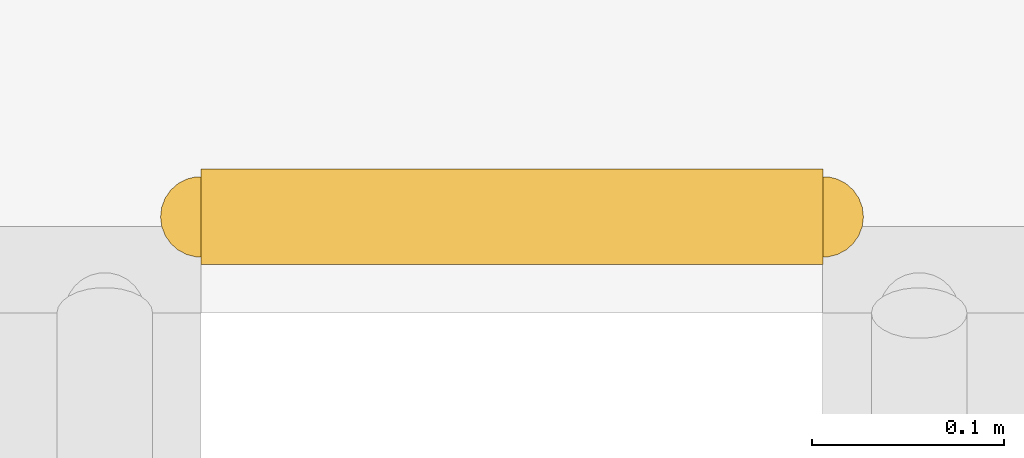
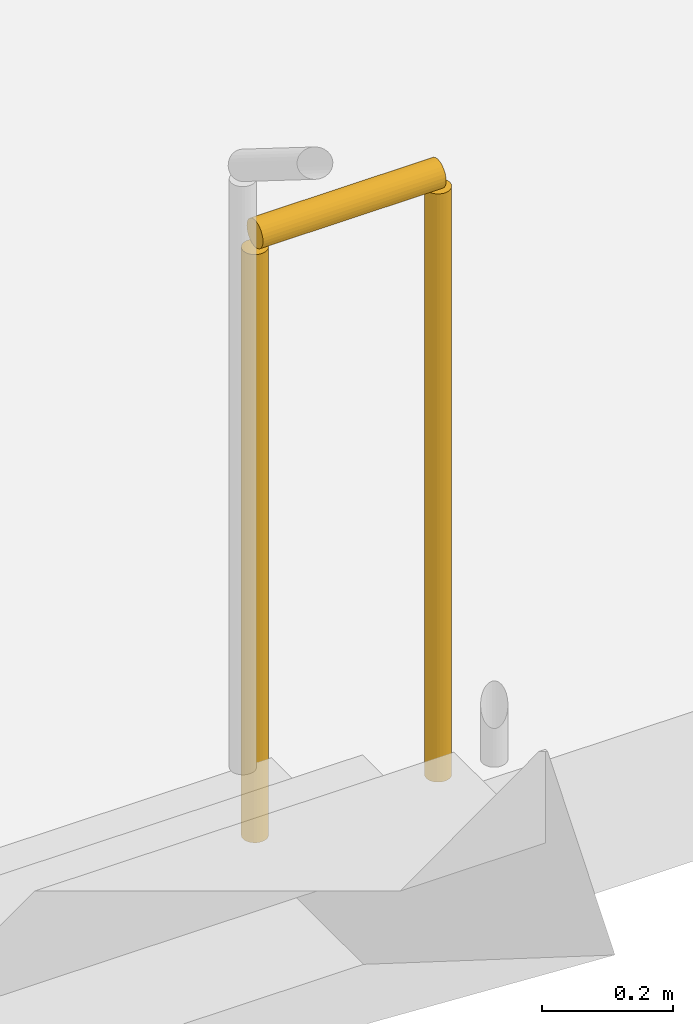
# One storey, part 13 of 14: 1 railing.
"""IFC4 building model written with IfcOpenShell, lengths in metres."""

from ifc_helpers import new_model, si_unit, direction, frame, origin, origin_2d, place, context, subcontext, project, spatial, circle, extrude, material, type_object, element, save


model = new_model("IFC4")

# Units and contexts
model_context = context("Model", 3, precision=1e-05, world=origin(), true_north=direction((0.0, 1.0)))
body_context = subcontext(model_context, "Body", "Model", "MODEL_VIEW")
ifc_project = project(units=[si_unit("LENGTHUNIT", "METRE"), si_unit("AREAUNIT", "SQUARE_METRE"), si_unit("VOLUMEUNIT", "CUBIC_METRE"), si_unit("PLANEANGLEUNIT", "RADIAN"), si_unit("MASSUNIT", "GRAM", prefix="KILO")], contexts=[model_context])

# Site, building, storey
site_placement = place(None, origin())
site = spatial("IfcSite", under=ifc_project, at=site_placement, CompositionType="ELEMENT")
building_placement = place(site_placement, origin())
building = spatial("IfcBuilding", under=site, at=building_placement, Name="Velakula Bourse", CompositionType="ELEMENT")
storey_placement = place(building_placement, frame((0.0, 0.0, 70.0)))
storey = spatial("IfcBuildingStorey", under=building, at=storey_placement, Name="L18", CompositionType="ELEMENT", Elevation=70.0)

# Railing
ifc_material = material(Name="Brushed grade 316 stainless steel", Category="steel")
railing_type = type_object("IfcRailingType", Name="RLG-STAIR-GUARD-1150", PredefinedType="BALUSTRADE", material=ifc_material)
railing_placement = place(storey_placement, frame((15.298095703125, -2.14990234375, 0.0)))
element("IfcRailing", 1, at=railing_placement, inside=storey, type_object=railing_type, Name="L18 ST-E1 stair guard 4", PredefinedType="BALUSTRADE", context=body_context, shape_type="SweptSolid", body=[
    extrude(circle(Radius=0.02490234375, at=origin_2d()), frame((0.0, 0.0, 1.125), z_axis=(1.0, 0.0, 0.0), x_axis=(0.0, 1.0, 0.0)), (0.0, 0.0, 1.0), 0.323974609375),
    extrude(circle(Radius=0.02099609375, at=origin_2d()), origin(), (0.0, 0.0, 1.0), 1.099853515625),
    extrude(circle(Radius=0.02099609375, at=origin_2d()), frame((0.323974609375, 0.0, 0.0)), (0.0, 0.0, 1.0), 1.099853515625),
])

save(model, "model.ifc")
